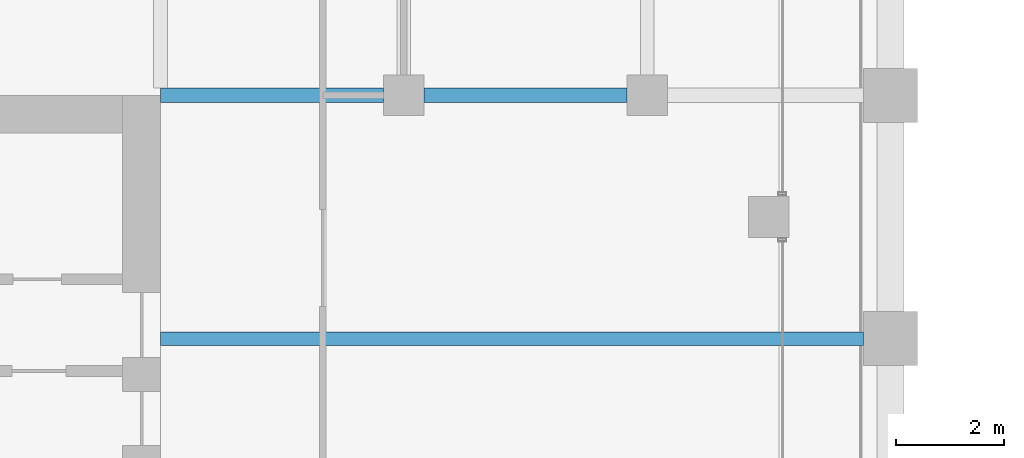
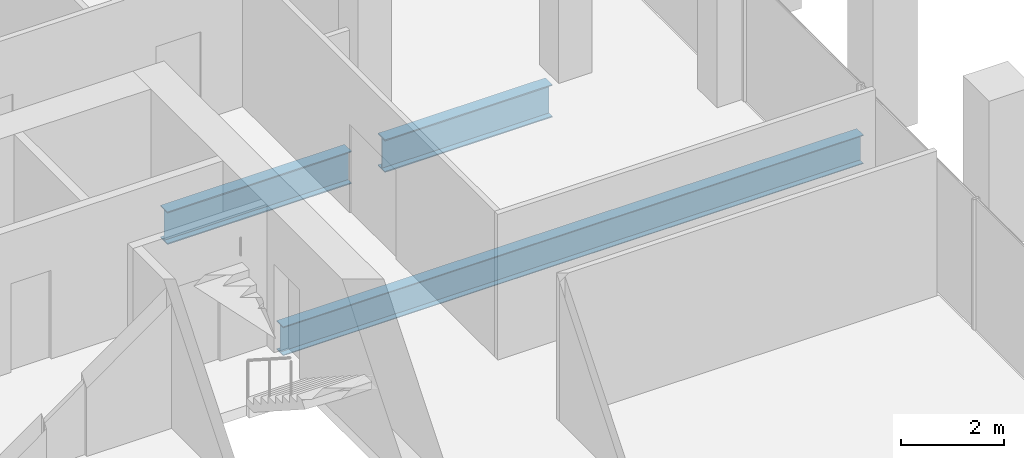
# One storey, part 18 of 46: 3 beams.
"""IFC4 building model written with IfcOpenShell, lengths in metres."""

from ifc_helpers import new_model, si_unit, direction, frame, origin, origin_2d, place, context, subcontext, project, spatial, i_section, extrude, material, material_profile, profile_set, type_object, element, save


model = new_model("IFC4")

# Units and contexts
model_context = context("Model", 3, precision=1e-05, world=origin(), true_north=direction((0.0, 1.0)))
body_context = subcontext(model_context, "Body", "Model", "MODEL_VIEW")
ifc_project = project(units=[si_unit("LENGTHUNIT", "METRE"), si_unit("AREAUNIT", "SQUARE_METRE"), si_unit("VOLUMEUNIT", "CUBIC_METRE"), si_unit("PLANEANGLEUNIT", "RADIAN"), si_unit("MASSUNIT", "GRAM", prefix="KILO")], contexts=[model_context])

# Site, building, storey
site_placement = place(None, origin())
site = spatial("IfcSite", under=ifc_project, at=site_placement, CompositionType="ELEMENT")
building_placement = place(site_placement, origin())
building = spatial("IfcBuilding", under=site, at=building_placement, Name="Altepetl Exchange Towers", CompositionType="ELEMENT")
storey_placement = place(building_placement, frame((0.0, 0.0, 124.39990234375)))
storey = spatial("IfcBuildingStorey", under=building, at=storey_placement, Name="L30", CompositionType="ELEMENT", Elevation=124.39990234375)

# Beams
ifc_material = material(Name="Steel S355", Category="steel")
ifc_material_profile_1 = material_profile(ifc_material, i_section(OverallWidth=0.25390625, OverallDepth=0.68408203125, WebThickness=0.012451171875, FlangeThickness=0.018798828125, at=origin_2d()), Name="W27X94")
ifc_profile_set_1 = profile_set([ifc_material_profile_1], Name="Steel S355")
beam_type_1 = type_object("IfcBeamType", Name="Floor beam W27X94", PredefinedType="BEAM", material=ifc_profile_set_1)
beam_1_placement = place(storey_placement, frame((58.5, 54.0, -0.491943359375), z_axis=(1.0, 0.0, 0.0), x_axis=(0.0, 1.0, 0.0)))
element("IfcBeam", 1, at=beam_1_placement, inside=storey, type_object=beam_type_1, Name="bm:A:L30:011", PredefinedType="BEAM", context=body_context, shape_type="SweptSolid", body=[
    extrude(i_section(OverallWidth=0.25390625, OverallDepth=0.68408203125, WebThickness=0.012451171875, FlangeThickness=0.018798828125, at=origin_2d()), origin(), (0.0, 0.0, 1.0), 13.0),
])
ifc_material_profile_2 = material_profile(ifc_material, i_section(OverallWidth=0.26806640625, OverallDepth=0.77392578125, WebThickness=0.015380859375, FlangeThickness=0.025390625, at=origin_2d()), Name="W30X132")
ifc_profile_set_2 = profile_set([ifc_material_profile_2], Name="Steel S355")
beam_type_2 = type_object("IfcBeamType", Name="Girder W30X132", PredefinedType="BEAM", material=ifc_profile_set_2)
beam_2_placement = place(storey_placement, frame((58.5, 58.5, -0.536865234375), z_axis=(1.0, 0.0, 0.0), x_axis=(0.0, 1.0, 0.0)))
element("IfcBeam", 2, at=beam_2_placement, inside=storey, type_object=beam_type_2, Name="gd:A:L30:000", PredefinedType="BEAM", context=body_context, shape_type="SweptSolid", body=[
    extrude(i_section(OverallWidth=0.26806640625, OverallDepth=0.77392578125, WebThickness=0.015380859375, FlangeThickness=0.025390625, at=origin_2d()), origin(), (0.0, 0.0, 1.0), 4.125),
])
beam_3_placement = place(storey_placement, frame((63.375, 58.5, -0.536865234375), z_axis=(1.0, 0.0, 0.0), x_axis=(0.0, 1.0, 0.0)))
element("IfcBeam", 3, at=beam_3_placement, inside=storey, type_object=beam_type_2, Name="gd:A:L30:001", PredefinedType="BEAM", context=body_context, shape_type="SweptSolid", body=[
    extrude(i_section(OverallWidth=0.26806640625, OverallDepth=0.77392578125, WebThickness=0.015380859375, FlangeThickness=0.025390625, at=origin_2d()), origin(), (0.0, 0.0, 1.0), 3.75),
])

save(model, "model.ifc")
